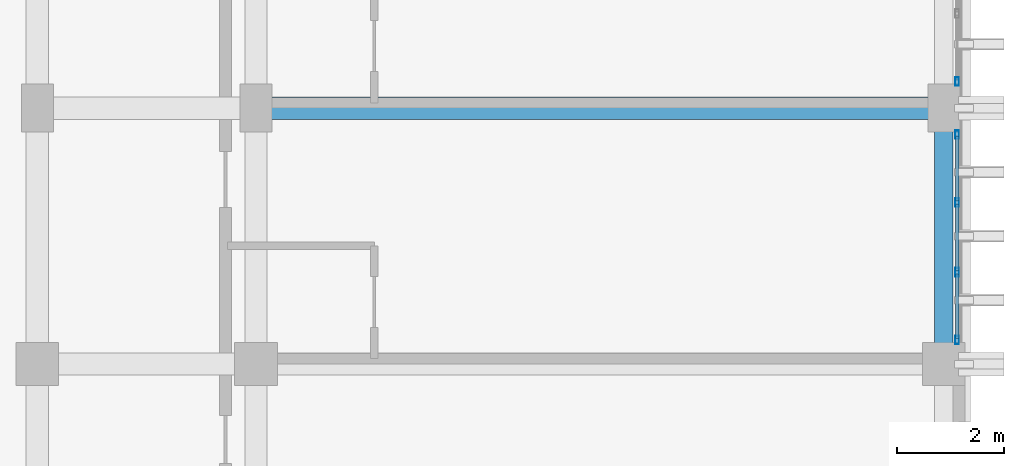
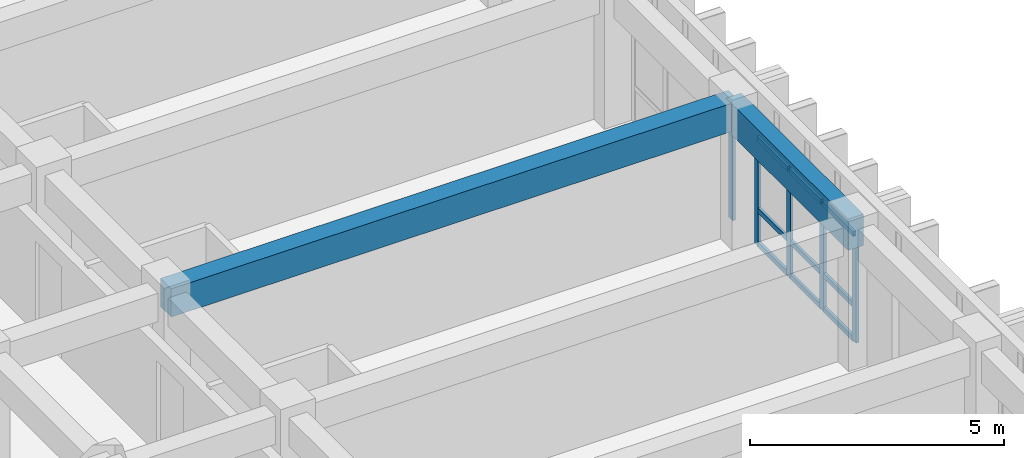
# One storey, part 49 of 82: 14 members, 2 beams, 2 elements without a shape of their own.
"""IFC4 building model written with IfcOpenShell, lengths in metres."""

from ifc_helpers import new_model, si_unit, direction, frame, origin, origin_2d, place, context, subcontext, project, spatial, rectangle, hollow_rectangle, extrude, material, layer, layer_set, material_profile, profile_set, type_object, element, aggregate, save


model = new_model("IFC4")

# Units and contexts
model_context = context("Model", 3, precision=1e-05, world=origin(), true_north=direction((0.0, 1.0)))
body_context = subcontext(model_context, "Body", "Model", "MODEL_VIEW")
ifc_project = project(units=[si_unit("LENGTHUNIT", "METRE"), si_unit("AREAUNIT", "SQUARE_METRE"), si_unit("VOLUMEUNIT", "CUBIC_METRE"), si_unit("PLANEANGLEUNIT", "RADIAN"), si_unit("MASSUNIT", "GRAM", prefix="KILO")], contexts=[model_context])

# Site, building, storey
site_placement = place(None, origin())
site = spatial("IfcSite", under=ifc_project, at=site_placement, CompositionType="ELEMENT")
building_placement = place(site_placement, origin())
building = spatial("IfcBuilding", under=site, at=building_placement, Name="Nakhvara Creek Congress Hotel", CompositionType="ELEMENT")
storey_placement = place(building_placement, frame((0.0, 0.0, 21.0)))
storey = spatial("IfcBuildingStorey", under=building, at=storey_placement, Name="L04", CompositionType="ELEMENT", Elevation=21.0)

# Beams
ifc_material_1 = material(Name="Concrete C40/50", Category="concrete")
ifc_material_profile_1 = material_profile(ifc_material_1, rectangle(XDim=0.419921875, YDim=0.679931640625, at=origin_2d()), Name="RC-BM 420x680", Category="LoadBearing")
ifc_profile_set_1 = profile_set([ifc_material_profile_1], Name="Concrete C40/50")
beam_type_1 = type_object("IfcBeamType", Name="BM-RC-420X680", PredefinedType="BEAM", material=ifc_profile_set_1)
beam_1_placement = place(storey_placement, frame((166.449951171875, 110.39990234375, 3.0), z_axis=(1.0, 0.0, 0.0), x_axis=(0.0, 1.0, 0.0)))
element("IfcBeam", 1, at=beam_1_placement, inside=storey, type_object=beam_type_1, Name="Beam B11-L04-2056", PredefinedType="BEAM", context=body_context, shape_type="SweptSolid", body=[
    extrude(rectangle(XDim=0.419921875, YDim=0.679931640625, at=origin_2d()), origin(), (0.0, 0.0, 1.0), 12.900146484375),
])
ifc_material_profile_2 = material_profile(ifc_material_1, rectangle(XDim=0.35009765625, YDim=0.75, at=origin_2d()), Name="RC-SPANDREL 350x750", Category="LoadBearing")
ifc_profile_set_2 = profile_set([ifc_material_profile_2], Name="Concrete C40/50")
beam_type_2 = type_object("IfcBeamType", Name="BM-SPN-350X750", PredefinedType="SPANDREL", material=ifc_profile_set_2)
beam_2_placement = place(storey_placement, frame((179.35009765625, 105.60009765625, 2.965087890625), z_axis=(0.0, 1.0, 0.0), x_axis=(-1.0, 0.0, 0.0)))
element("IfcBeam", 2, at=beam_2_placement, inside=storey, type_object=beam_type_2, Name="Beam SP1-L04-2025", PredefinedType="SPANDREL", context=body_context, shape_type="SweptSolid", body=[
    extrude(rectangle(XDim=0.35009765625, YDim=0.75, at=origin_2d()), origin(), (0.0, 0.0, 1.0), 4.7998046875),
])

# Curtain wall, members
ifc_material_2 = material(Name="Bronze-anodised aluminium AW-6063-T6 and double-silver low-E glass", Category="aluminium")
ifc_layer = layer(ifc_material_2, 0.199951171875)
ifc_layer_set = layer_set([ifc_layer], Name="Bronze-anodised aluminium AW-6063-T6 and double-silver low-E glass")
curtain_wall_type = type_object("IfcCurtainWallType", Name="CW-HTL-UNIT", PredefinedType="USERDEFINED", material=ifc_layer_set)
curtain_wall_1_placement = place(storey_placement, origin())
curtain_wall_1 = element("IfcCurtainWall", 3, at=curtain_wall_1_placement, inside=storey, type_object=curtain_wall_type, Name="Curtain Wall CW196", ObjectType="UNITISED", PredefinedType="USERDEFINED")
ifc_material_3 = material(Name="Bronze-anodised aluminium AW-6063-T6", Category="aluminium")
ifc_material_profile_3 = material_profile(ifc_material_3, hollow_rectangle(XDim=0.06494140625, YDim=0.159912109375, WallThickness=0.00390625, at=origin_2d()), Name="ALU-MULL 65x160x4", Category="LoadBearing")
ifc_profile_set_3 = profile_set([ifc_material_profile_3], Name="Bronze-anodised aluminium AW-6063-T6")
member_type_1 = type_object("IfcMemberType", Name="CW-MULL-160", PredefinedType="MULLION", material=ifc_profile_set_3)
member_1_placement = place(storey_placement, frame((179.60009765625, 109.902587890625, 0.0), z_axis=(0.0, 0.0, 1.0), x_axis=(1.0, 0.0, 0.0)))
member_1 = element("IfcMember", 4, at=member_1_placement, type_object=member_type_1, Name="CW196 mullion 1", PredefinedType="MULLION", context=body_context, shape_type="SweptSolid", body=[
    extrude(hollow_rectangle(XDim=0.06494140625, YDim=0.159912109375, WallThickness=0.00390625, at=origin_2d()), origin(), (0.0, 0.0, 1.0), 2.58203125),
])
member_2_placement = place(storey_placement, frame((179.60009765625, 108.62841796875, 0.0), z_axis=(0.0, 0.0, 1.0), x_axis=(1.0, 0.0, 0.0)))
member_2 = element("IfcMember", 5, at=member_2_placement, type_object=member_type_1, Name="CW196 mullion 2", PredefinedType="MULLION", context=body_context, shape_type="SweptSolid", body=[
    extrude(hollow_rectangle(XDim=0.06494140625, YDim=0.159912109375, WallThickness=0.00390625, at=origin_2d()), origin(), (0.0, 0.0, 1.0), 2.58203125),
])
member_3_placement = place(storey_placement, frame((179.60009765625, 107.32177734375, 0.0), z_axis=(0.0, 0.0, 1.0), x_axis=(1.0, 0.0, 0.0)))
member_3 = element("IfcMember", 6, at=member_3_placement, type_object=member_type_1, Name="CW196 mullion 3", PredefinedType="MULLION", context=body_context, shape_type="SweptSolid", body=[
    extrude(hollow_rectangle(XDim=0.06494140625, YDim=0.159912109375, WallThickness=0.00390625, at=origin_2d()), origin(), (0.0, 0.0, 1.0), 2.58203125),
])
member_4_placement = place(storey_placement, frame((179.60009765625, 106.047607421875, 0.0), z_axis=(0.0, 0.0, 1.0), x_axis=(1.0, 0.0, 0.0)))
member_4 = element("IfcMember", 7, at=member_4_placement, type_object=member_type_1, Name="CW196 mullion 4", PredefinedType="MULLION", context=body_context, shape_type="SweptSolid", body=[
    extrude(hollow_rectangle(XDim=0.06494140625, YDim=0.159912109375, WallThickness=0.00390625, at=origin_2d()), origin(), (0.0, 0.0, 1.0), 2.58203125),
])

# Curtain wall, member
curtain_wall_2_placement = place(storey_placement, origin())
curtain_wall_2 = element("IfcCurtainWall", 8, at=curtain_wall_2_placement, inside=storey, type_object=curtain_wall_type, Name="Curtain Wall CW198", ObjectType="UNITISED", PredefinedType="USERDEFINED")
member_5_placement = place(storey_placement, frame((179.60009765625, 110.8974609375, 0.0), z_axis=(0.0, 0.0, 1.0), x_axis=(1.0, 0.0, 0.0)))
member_5 = element("IfcMember", 9, at=member_5_placement, type_object=member_type_1, Name="CW198 mullion 4", PredefinedType="MULLION", context=body_context, shape_type="SweptSolid", body=[
    extrude(hollow_rectangle(XDim=0.06494140625, YDim=0.159912109375, WallThickness=0.00390625, at=origin_2d()), origin(), (0.0, 0.0, 1.0), 2.58203125),
])
aggregate(curtain_wall_2, [member_5])

# Member
ifc_material_profile_4 = material_profile(ifc_material_3, hollow_rectangle(XDim=0.06494140625, YDim=0.1201171875, WallThickness=0.00390625, at=origin_2d()), Name="ALU-TRAN 65x120x4", Category="LoadBearing")
ifc_profile_set_4 = profile_set([ifc_material_profile_4], Name="Bronze-anodised aluminium AW-6063-T6")
member_type_2 = type_object("IfcMemberType", Name="CW-TRAN-120", PredefinedType="USERDEFINED", material=ifc_profile_set_4)
member_6_placement = place(storey_placement, frame((179.60009765625, 109.8701171875, 0.032470703125), z_axis=(0.0, -1.0, 0.0), x_axis=(1.0, 0.0, 0.0)))
member_6 = element("IfcMember", 10, at=member_6_placement, type_object=member_type_2, Name="CW196 transom 1.1", ObjectType="TRANSOM", PredefinedType="USERDEFINED", context=body_context, shape_type="SweptSolid", body=[
    extrude(hollow_rectangle(XDim=0.06494140625, YDim=0.1201171875, WallThickness=0.00390625, at=origin_2d()), origin(), (0.0, 0.0, 1.0), 1.209228515625),
])

member_7_placement = place(storey_placement, frame((179.60009765625, 109.8701171875, 0.85009765625), z_axis=(0.0, -1.0, 0.0), x_axis=(1.0, 0.0, 0.0)))
member_7 = element("IfcMember", 11, at=member_7_placement, type_object=member_type_2, Name="CW196 transom 1.2", ObjectType="TRANSOM", PredefinedType="USERDEFINED", context=body_context, shape_type="SweptSolid", body=[
    extrude(hollow_rectangle(XDim=0.06494140625, YDim=0.1201171875, WallThickness=0.00390625, at=origin_2d()), origin(), (0.0, 0.0, 1.0), 1.209228515625),
])

member_8_placement = place(storey_placement, frame((179.60009765625, 109.8701171875, 2.549560546875), z_axis=(0.0, -1.0, 0.0), x_axis=(1.0, 0.0, 0.0)))
member_8 = element("IfcMember", 12, at=member_8_placement, type_object=member_type_2, Name="CW196 transom 1.3", ObjectType="TRANSOM", PredefinedType="USERDEFINED", context=body_context, shape_type="SweptSolid", body=[
    extrude(hollow_rectangle(XDim=0.06494140625, YDim=0.1201171875, WallThickness=0.00390625, at=origin_2d()), origin(), (0.0, 0.0, 1.0), 1.209228515625),
])

member_9_placement = place(storey_placement, frame((179.60009765625, 108.595947265625, 0.032470703125), z_axis=(0.0, -1.0, 0.0), x_axis=(1.0, 0.0, 0.0)))
member_9 = element("IfcMember", 13, at=member_9_placement, type_object=member_type_2, Name="CW196 transom 2.1", ObjectType="TRANSOM", PredefinedType="USERDEFINED", context=body_context, shape_type="SweptSolid", body=[
    extrude(hollow_rectangle(XDim=0.06494140625, YDim=0.1201171875, WallThickness=0.00390625, at=origin_2d()), origin(), (0.0, 0.0, 1.0), 1.24169921875),
])

member_10_placement = place(storey_placement, frame((179.60009765625, 108.595947265625, 0.85009765625), z_axis=(0.0, -1.0, 0.0), x_axis=(1.0, 0.0, 0.0)))
member_10 = element("IfcMember", 14, at=member_10_placement, type_object=member_type_2, Name="CW196 transom 2.2", ObjectType="TRANSOM", PredefinedType="USERDEFINED", context=body_context, shape_type="SweptSolid", body=[
    extrude(hollow_rectangle(XDim=0.06494140625, YDim=0.1201171875, WallThickness=0.00390625, at=origin_2d()), origin(), (0.0, 0.0, 1.0), 1.24169921875),
])

member_11_placement = place(storey_placement, frame((179.60009765625, 108.595947265625, 2.549560546875), z_axis=(0.0, -1.0, 0.0), x_axis=(1.0, 0.0, 0.0)))
member_11 = element("IfcMember", 15, at=member_11_placement, type_object=member_type_2, Name="CW196 transom 2.3", ObjectType="TRANSOM", PredefinedType="USERDEFINED", context=body_context, shape_type="SweptSolid", body=[
    extrude(hollow_rectangle(XDim=0.06494140625, YDim=0.1201171875, WallThickness=0.00390625, at=origin_2d()), origin(), (0.0, 0.0, 1.0), 1.24169921875),
])

member_12_placement = place(storey_placement, frame((179.60009765625, 107.2890625, 0.032470703125), z_axis=(0.0, -1.0, 0.0), x_axis=(1.0, 0.0, 0.0)))
member_12 = element("IfcMember", 16, at=member_12_placement, type_object=member_type_2, Name="CW196 transom 3.1", ObjectType="TRANSOM", PredefinedType="USERDEFINED", context=body_context, shape_type="SweptSolid", body=[
    extrude(hollow_rectangle(XDim=0.06494140625, YDim=0.1201171875, WallThickness=0.00390625, at=origin_2d()), origin(), (0.0, 0.0, 1.0), 1.208984375),
])

member_13_placement = place(storey_placement, frame((179.60009765625, 107.2890625, 0.85009765625), z_axis=(0.0, -1.0, 0.0), x_axis=(1.0, 0.0, 0.0)))
member_13 = element("IfcMember", 17, at=member_13_placement, type_object=member_type_2, Name="CW196 transom 3.2", ObjectType="TRANSOM", PredefinedType="USERDEFINED", context=body_context, shape_type="SweptSolid", body=[
    extrude(hollow_rectangle(XDim=0.06494140625, YDim=0.1201171875, WallThickness=0.00390625, at=origin_2d()), origin(), (0.0, 0.0, 1.0), 1.208984375),
])

member_14_placement = place(storey_placement, frame((179.60009765625, 107.2890625, 2.549560546875), z_axis=(0.0, -1.0, 0.0), x_axis=(1.0, 0.0, 0.0)))
member_14 = element("IfcMember", 18, at=member_14_placement, type_object=member_type_2, Name="CW196 transom 3.3", ObjectType="TRANSOM", PredefinedType="USERDEFINED", context=body_context, shape_type="SweptSolid", body=[
    extrude(hollow_rectangle(XDim=0.06494140625, YDim=0.1201171875, WallThickness=0.00390625, at=origin_2d()), origin(), (0.0, 0.0, 1.0), 1.208984375),
])

aggregate(curtain_wall_1, [member_1, member_2, member_3, member_4, member_6, member_7, member_8, member_9, member_10, member_11, member_12, member_13, member_14])

save(model, "model.ifc")
